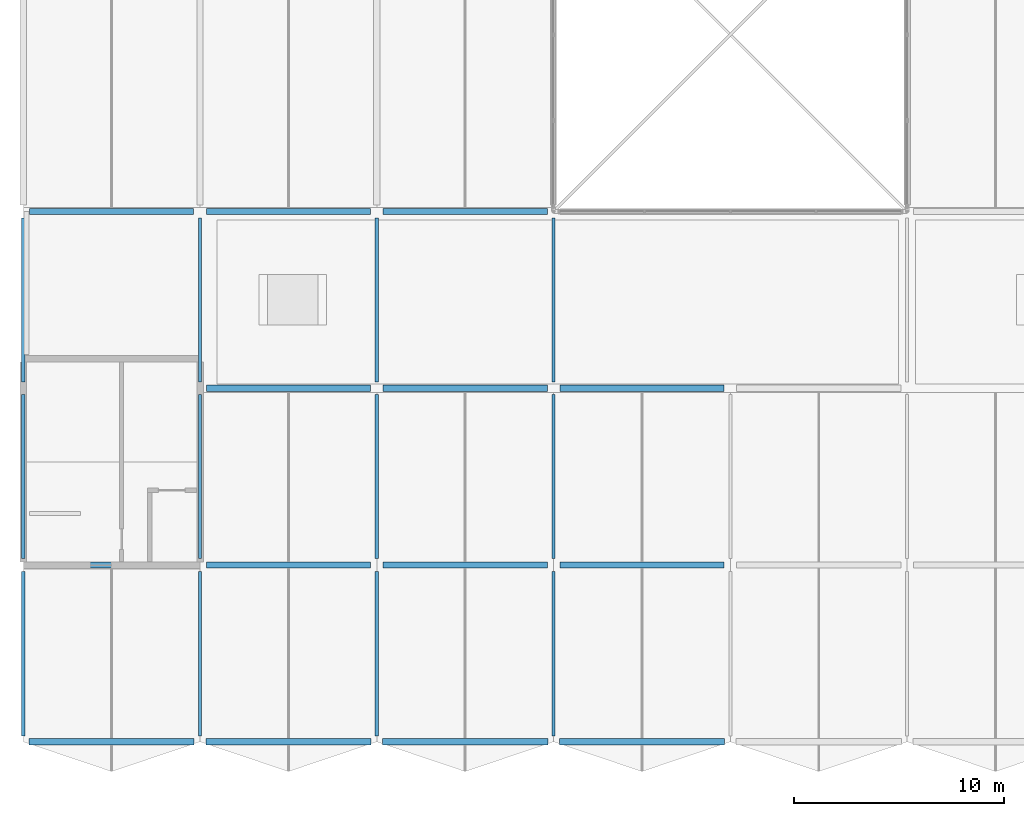
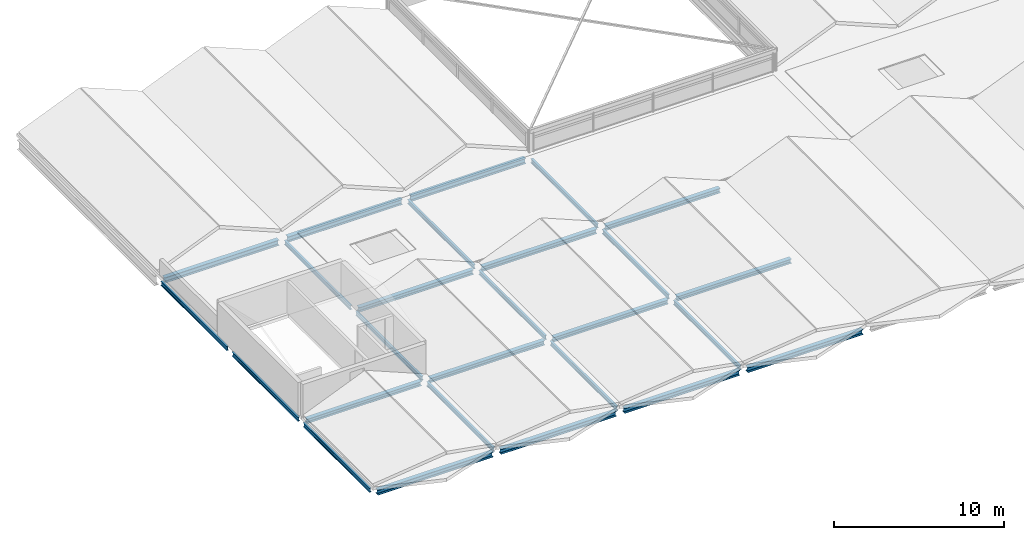
# One storey, part 1 of 14: 26 beams.
"""IFC4 building model written with IfcOpenShell, lengths in metres."""

from ifc_helpers import new_model, si_unit, direction, frame, origin, origin_2d, place, context, subcontext, project, spatial, i_section, extrude, material, material_profile, profile_set, type_object, element, save


model = new_model("IFC4")

# Units and contexts
model_context = context("Model", 3, precision=1e-05, world=origin(), true_north=direction((0.0, 1.0)))
body_context = subcontext(model_context, "Body", "Model", "MODEL_VIEW")
ifc_project = project(units=[si_unit("LENGTHUNIT", "METRE"), si_unit("AREAUNIT", "SQUARE_METRE"), si_unit("VOLUMEUNIT", "CUBIC_METRE"), si_unit("PLANEANGLEUNIT", "RADIAN"), si_unit("MASSUNIT", "GRAM", prefix="KILO")], contexts=[model_context])

# Site, building, storey
site_placement = place(None, origin())
site = spatial("IfcSite", under=ifc_project, at=site_placement, CompositionType="ELEMENT")
building_placement = place(site_placement, origin())
building = spatial("IfcBuilding", under=site, at=building_placement, Name="Qawsi Khor Wholesale Market", CompositionType="ELEMENT")
storey_placement = place(building_placement, frame((0.0, 0.0, 20.699951171875)))
storey = spatial("IfcBuildingStorey", under=building, at=storey_placement, Name="RF", CompositionType="ELEMENT", Elevation=20.699951171875)

# Beams
ifc_material = material(Name="Steel S355", Category="steel")
ifc_material_profile_1 = material_profile(ifc_material, i_section(OverallWidth=0.300048828125, OverallDepth=0.360107421875, WebThickness=0.012451171875, FlangeThickness=0.0224609375, FilletRadius=0.027099609375, at=origin_2d()), Name="HEB 360")
ifc_profile_set_1 = profile_set([ifc_material_profile_1], Name="Steel S355")
beam_type_1 = type_object("IfcBeamType", Name="Heavy Edge Girder HEB 360", PredefinedType="BEAM", material=ifc_profile_set_1)
beam_1_placement = place(storey_placement, frame((25.47509765625, 0.0, -0.419921875), z_axis=(1.0, 0.0, 0.0), x_axis=(0.0, 1.0, 0.0)))
element("IfcBeam", 1, at=beam_1_placement, inside=storey, type_object=beam_type_1, Name="BM-X-RF-03_+00", PredefinedType="BEAM", context=body_context, shape_type="SweptSolid", body=[
    extrude(i_section(OverallWidth=0.300048828125, OverallDepth=0.360107421875, WebThickness=0.012451171875, FlangeThickness=0.0224609375, FilletRadius=0.027099609375, at=origin_2d()), origin(), (0.0, 0.0, 1.0), 7.849853515625),
])
for number, where, z_axis, x_axis, name in (
    (2, (33.875, 0.0, -0.419921875), (1.0, 0.0, 0.0), (0.0, 1.0, 0.0), "BM-X-RF-04_+00"),
    (3, (42.27490234375, 0.0, -0.419921875), (1.0, 0.0, 0.0), (0.0, 1.0, 0.0), "BM-X-RF-05_+00"),
):
    element("IfcBeam", number, at=place(storey_placement, frame(where, z_axis=z_axis, x_axis=x_axis)), inside=storey, type_object=beam_type_1, Name=name, PredefinedType="BEAM", context=body_context, shape_type="SweptSolid", body=[
        extrude(i_section(OverallWidth=0.300048828125, OverallDepth=0.360107421875, WebThickness=0.012451171875, FlangeThickness=0.0224609375, FilletRadius=0.027099609375, at=origin_2d()), origin(), (0.0, 0.0, 1.0), 7.85009765625),
    ])
beam_2_placement = place(storey_placement, frame((50.675048828125, 0.0, -0.419921875), z_axis=(1.0, 0.0, 0.0), x_axis=(0.0, 1.0, 0.0)))
element("IfcBeam", 4, at=beam_2_placement, inside=storey, type_object=beam_type_1, Name="BM-X-RF-06_+00", PredefinedType="BEAM", context=body_context, shape_type="SweptSolid", body=[
    extrude(i_section(OverallWidth=0.300048828125, OverallDepth=0.360107421875, WebThickness=0.012451171875, FlangeThickness=0.0224609375, FilletRadius=0.027099609375, at=origin_2d()), origin(), (0.0, 0.0, 1.0), 7.849853515625),
])
ifc_material_profile_2 = material_profile(ifc_material, i_section(OverallWidth=0.300048828125, OverallDepth=0.31005859375, WebThickness=0.009033203125, FlangeThickness=0.015380859375, FilletRadius=0.027099609375, at=origin_2d()), Name="HEA 320")
ifc_profile_set_2 = profile_set([ifc_material_profile_2], Name="Steel S355")
beam_type_2 = type_object("IfcBeamType", Name="Primary Girder HEA 320", PredefinedType="BEAM", material=ifc_profile_set_2)
for number, where, z_axis, x_axis, name in (
    (5, (25.5, 8.39990234375, -0.39501953125), (1.0, 0.0, 0.0), (0.0, 1.0, 0.0), "BM-X-RF-03_+01"),
    (6, (33.89990234375, 8.39990234375, -0.39501953125), (1.0, 0.0, 0.0), (0.0, 1.0, 0.0), "BM-X-RF-04_+01"),
    (7, (42.300048828125, 8.39990234375, -0.39501953125), (1.0, 0.0, 0.0), (0.0, 1.0, 0.0), "BM-X-RF-05_+01"),
    (8, (50.699951171875, 8.39990234375, -0.39501953125), (1.0, 0.0, 0.0), (0.0, 1.0, 0.0), "BM-X-RF-06_+01"),
):
    element("IfcBeam", number, at=place(storey_placement, frame(where, z_axis=z_axis, x_axis=x_axis)), inside=storey, type_object=beam_type_2, Name=name, PredefinedType="BEAM", context=body_context, shape_type="SweptSolid", body=[
        extrude(i_section(OverallWidth=0.300048828125, OverallDepth=0.31005859375, WebThickness=0.009033203125, FlangeThickness=0.015380859375, FilletRadius=0.027099609375, at=origin_2d()), origin(), (0.0, 0.0, 1.0), 7.800048828125),
    ])
ifc_material_profile_3 = material_profile(ifc_material, i_section(OverallWidth=0.300048828125, OverallDepth=0.330078125, WebThickness=0.009521484375, FlangeThickness=0.0166015625, FilletRadius=0.027099609375, at=origin_2d()), Name="HEA 340")
ifc_profile_set_3 = profile_set([ifc_material_profile_3], Name="Steel S355")
beam_type_3 = type_object("IfcBeamType", Name="Primary Girder HEA 340", PredefinedType="BEAM", material=ifc_profile_set_3)
for number, where, z_axis, x_axis, name in (
    (9, (33.89990234375, 16.800048828125, -0.405029296875), (1.0, 0.0, 0.0), (0.0, 1.0, 0.0), "BM-X-RF-04_+02"),
    (10, (42.300048828125, 16.800048828125, -0.405029296875), (1.0, 0.0, 0.0), (0.0, 1.0, 0.0), "BM-X-RF-05_+02"),
    (11, (50.699951171875, 16.800048828125, -0.405029296875), (1.0, 0.0, 0.0), (0.0, 1.0, 0.0), "BM-X-RF-06_+02"),
):
    element("IfcBeam", number, at=place(storey_placement, frame(where, z_axis=z_axis, x_axis=x_axis)), inside=storey, type_object=beam_type_3, Name=name, PredefinedType="BEAM", context=body_context, shape_type="SweptSolid", body=[
        extrude(i_section(OverallWidth=0.300048828125, OverallDepth=0.330078125, WebThickness=0.009521484375, FlangeThickness=0.0166015625, FilletRadius=0.027099609375, at=origin_2d()), origin(), (0.0, 0.0, 1.0), 7.800048828125),
    ])
ifc_material_profile_4 = material_profile(ifc_material, i_section(OverallWidth=0.300048828125, OverallDepth=0.389892578125, WebThickness=0.010986328125, FlangeThickness=0.01904296875, FilletRadius=0.027099609375, at=origin_2d()), Name="HEA 400")
ifc_profile_set_4 = profile_set([ifc_material_profile_4], Name="Steel S355")
beam_type_4 = type_object("IfcBeamType", Name="Primary Girder HEA 400", PredefinedType="BEAM", material=ifc_profile_set_4)
for number, where, z_axis, x_axis, name in (
    (12, (25.5, 25.199951171875, -0.43505859375), (1.0, 0.0, 0.0), (0.0, 1.0, 0.0), "BM-X-RF-03_+03"),
    (13, (33.89990234375, 25.199951171875, -0.43505859375), (1.0, 0.0, 0.0), (0.0, 1.0, 0.0), "BM-X-RF-04_+03"),
    (14, (42.300048828125, 25.199951171875, -0.43505859375), (1.0, 0.0, 0.0), (0.0, 1.0, 0.0), "BM-X-RF-05_+03"),
):
    element("IfcBeam", number, at=place(storey_placement, frame(where, z_axis=z_axis, x_axis=x_axis)), inside=storey, type_object=beam_type_4, Name=name, PredefinedType="BEAM", context=body_context, shape_type="SweptSolid", body=[
        extrude(i_section(OverallWidth=0.300048828125, OverallDepth=0.389892578125, WebThickness=0.010986328125, FlangeThickness=0.01904296875, FilletRadius=0.027099609375, at=origin_2d()), origin(), (0.0, 0.0, 1.0), 7.800048828125),
    ])
ifc_material_profile_5 = material_profile(ifc_material, i_section(OverallWidth=0.14990234375, OverallDepth=0.300048828125, WebThickness=0.007080078125, FlangeThickness=0.0107421875, FilletRadius=0.014892578125, at=origin_2d()), Name="IPE 300")
ifc_profile_set_5 = profile_set([ifc_material_profile_5], Name="Steel S355")
beam_type_5 = type_object("IfcBeamType", Name="Roof Rafter IPE 300", PredefinedType="BEAM", material=ifc_profile_set_5)
beam_3_placement = place(storey_placement, frame((25.199951171875, 0.27490234375, -0.389892578125), z_axis=(0.0, 1.0, 0.0), x_axis=(-1.0, 0.0, 0.0)))
element("IfcBeam", 15, at=beam_3_placement, inside=storey, type_object=beam_type_5, Name="BM-Y-RF-03_+00", PredefinedType="BEAM", context=body_context, shape_type="SweptSolid", body=[
    extrude(i_section(OverallWidth=0.14990234375, OverallDepth=0.300048828125, WebThickness=0.007080078125, FlangeThickness=0.0107421875, FilletRadius=0.014892578125, at=origin_2d()), origin(), (0.0, 0.0, 1.0), 7.8251953125),
])
beam_4_placement = place(storey_placement, frame((25.199951171875, 8.699951171875, -0.389892578125), z_axis=(0.0, 1.0, 0.0), x_axis=(-1.0, 0.0, 0.0)))
element("IfcBeam", 16, at=beam_4_placement, inside=storey, type_object=beam_type_5, Name="BM-Y-RF-03_+01", PredefinedType="BEAM", context=body_context, shape_type="SweptSolid", body=[
    extrude(i_section(OverallWidth=0.14990234375, OverallDepth=0.300048828125, WebThickness=0.007080078125, FlangeThickness=0.0107421875, FilletRadius=0.014892578125, at=origin_2d()), origin(), (0.0, 0.0, 1.0), 7.800048828125),
])
beam_5_placement = place(storey_placement, frame((25.199951171875, 17.10009765625, -0.389892578125), z_axis=(0.0, 1.0, 0.0), x_axis=(-1.0, 0.0, 0.0)))
element("IfcBeam", 17, at=beam_5_placement, inside=storey, type_object=beam_type_5, Name="BM-Y-RF-03_+02", PredefinedType="BEAM", context=body_context, shape_type="SweptSolid", body=[
    extrude(i_section(OverallWidth=0.14990234375, OverallDepth=0.300048828125, WebThickness=0.007080078125, FlangeThickness=0.0107421875, FilletRadius=0.014892578125, at=origin_2d()), origin(), (0.0, 0.0, 1.0), 7.7998046875),
])
beam_6_placement = place(storey_placement, frame((33.60009765625, 0.27490234375, -0.389892578125), z_axis=(0.0, 1.0, 0.0), x_axis=(-1.0, 0.0, 0.0)))
element("IfcBeam", 18, at=beam_6_placement, inside=storey, type_object=beam_type_5, Name="BM-Y-RF-04_+00", PredefinedType="BEAM", context=body_context, shape_type="SweptSolid", body=[
    extrude(i_section(OverallWidth=0.14990234375, OverallDepth=0.300048828125, WebThickness=0.007080078125, FlangeThickness=0.0107421875, FilletRadius=0.014892578125, at=origin_2d()), origin(), (0.0, 0.0, 1.0), 7.8251953125),
])
beam_7_placement = place(storey_placement, frame((33.60009765625, 8.699951171875, -0.389892578125), z_axis=(0.0, 1.0, 0.0), x_axis=(-1.0, 0.0, 0.0)))
element("IfcBeam", 19, at=beam_7_placement, inside=storey, type_object=beam_type_5, Name="BM-Y-RF-04_+01", PredefinedType="BEAM", context=body_context, shape_type="SweptSolid", body=[
    extrude(i_section(OverallWidth=0.14990234375, OverallDepth=0.300048828125, WebThickness=0.007080078125, FlangeThickness=0.0107421875, FilletRadius=0.014892578125, at=origin_2d()), origin(), (0.0, 0.0, 1.0), 7.800048828125),
])
beam_8_placement = place(storey_placement, frame((33.60009765625, 17.10009765625, -0.389892578125), z_axis=(0.0, 1.0, 0.0), x_axis=(-1.0, 0.0, 0.0)))
element("IfcBeam", 20, at=beam_8_placement, inside=storey, type_object=beam_type_5, Name="BM-Y-RF-04_+02", PredefinedType="BEAM", context=body_context, shape_type="SweptSolid", body=[
    extrude(i_section(OverallWidth=0.14990234375, OverallDepth=0.300048828125, WebThickness=0.007080078125, FlangeThickness=0.0107421875, FilletRadius=0.014892578125, at=origin_2d()), origin(), (0.0, 0.0, 1.0), 7.7998046875),
])
beam_9_placement = place(storey_placement, frame((42.0, 0.27490234375, -0.389892578125), z_axis=(0.0, 1.0, 0.0), x_axis=(-1.0, 0.0, 0.0)))
element("IfcBeam", 21, at=beam_9_placement, inside=storey, type_object=beam_type_5, Name="BM-Y-RF-05_+00", PredefinedType="BEAM", context=body_context, shape_type="SweptSolid", body=[
    extrude(i_section(OverallWidth=0.14990234375, OverallDepth=0.300048828125, WebThickness=0.007080078125, FlangeThickness=0.0107421875, FilletRadius=0.014892578125, at=origin_2d()), origin(), (0.0, 0.0, 1.0), 7.8251953125),
])
beam_10_placement = place(storey_placement, frame((42.0, 8.699951171875, -0.389892578125), z_axis=(0.0, 1.0, 0.0), x_axis=(-1.0, 0.0, 0.0)))
element("IfcBeam", 22, at=beam_10_placement, inside=storey, type_object=beam_type_5, Name="BM-Y-RF-05_+01", PredefinedType="BEAM", context=body_context, shape_type="SweptSolid", body=[
    extrude(i_section(OverallWidth=0.14990234375, OverallDepth=0.300048828125, WebThickness=0.007080078125, FlangeThickness=0.0107421875, FilletRadius=0.014892578125, at=origin_2d()), origin(), (0.0, 0.0, 1.0), 7.800048828125),
])
beam_11_placement = place(storey_placement, frame((42.0, 17.10009765625, -0.389892578125), z_axis=(0.0, 1.0, 0.0), x_axis=(-1.0, 0.0, 0.0)))
element("IfcBeam", 23, at=beam_11_placement, inside=storey, type_object=beam_type_5, Name="BM-Y-RF-05_+02", PredefinedType="BEAM", context=body_context, shape_type="SweptSolid", body=[
    extrude(i_section(OverallWidth=0.14990234375, OverallDepth=0.300048828125, WebThickness=0.007080078125, FlangeThickness=0.0107421875, FilletRadius=0.014892578125, at=origin_2d()), origin(), (0.0, 0.0, 1.0), 7.7998046875),
])
beam_12_placement = place(storey_placement, frame((50.39990234375, 0.27490234375, -0.389892578125), z_axis=(0.0, 1.0, 0.0), x_axis=(-1.0, 0.0, 0.0)))
element("IfcBeam", 24, at=beam_12_placement, inside=storey, type_object=beam_type_5, Name="BM-Y-RF-06_+00", PredefinedType="BEAM", context=body_context, shape_type="SweptSolid", body=[
    extrude(i_section(OverallWidth=0.14990234375, OverallDepth=0.300048828125, WebThickness=0.007080078125, FlangeThickness=0.0107421875, FilletRadius=0.014892578125, at=origin_2d()), origin(), (0.0, 0.0, 1.0), 7.8251953125),
])
beam_13_placement = place(storey_placement, frame((50.39990234375, 8.699951171875, -0.389892578125), z_axis=(0.0, 1.0, 0.0), x_axis=(-1.0, 0.0, 0.0)))
element("IfcBeam", 25, at=beam_13_placement, inside=storey, type_object=beam_type_5, Name="BM-Y-RF-06_+01", PredefinedType="BEAM", context=body_context, shape_type="SweptSolid", body=[
    extrude(i_section(OverallWidth=0.14990234375, OverallDepth=0.300048828125, WebThickness=0.007080078125, FlangeThickness=0.0107421875, FilletRadius=0.014892578125, at=origin_2d()), origin(), (0.0, 0.0, 1.0), 7.800048828125),
])
beam_14_placement = place(storey_placement, frame((50.39990234375, 17.10009765625, -0.389892578125), z_axis=(0.0, 1.0, 0.0), x_axis=(-1.0, 0.0, 0.0)))
element("IfcBeam", 26, at=beam_14_placement, inside=storey, type_object=beam_type_5, Name="BM-Y-RF-06_+02", PredefinedType="BEAM", context=body_context, shape_type="SweptSolid", body=[
    extrude(i_section(OverallWidth=0.14990234375, OverallDepth=0.300048828125, WebThickness=0.007080078125, FlangeThickness=0.0107421875, FilletRadius=0.014892578125, at=origin_2d()), origin(), (0.0, 0.0, 1.0), 7.7998046875),
])

save(model, "model.ifc")
